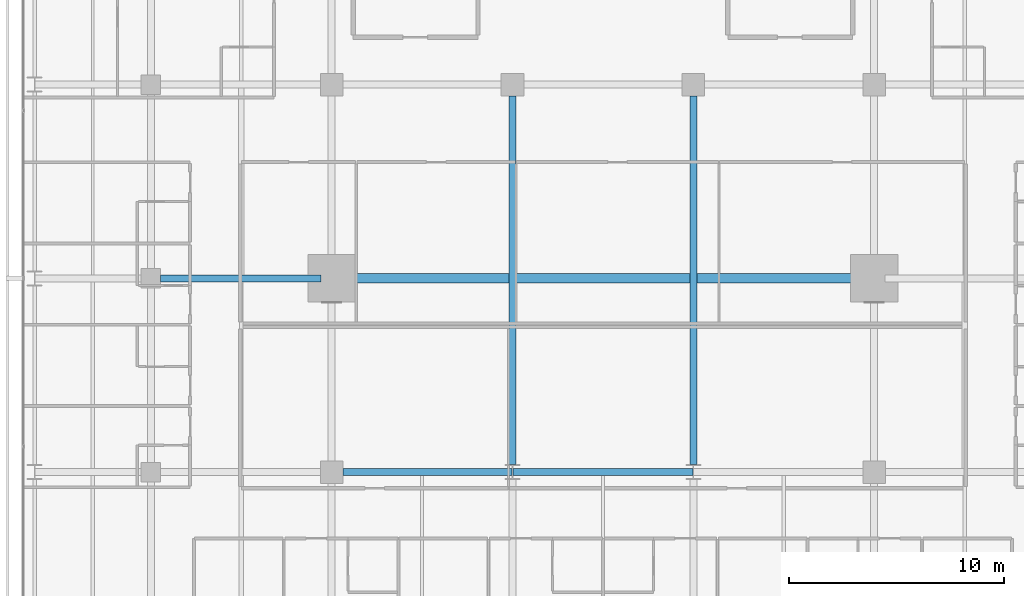
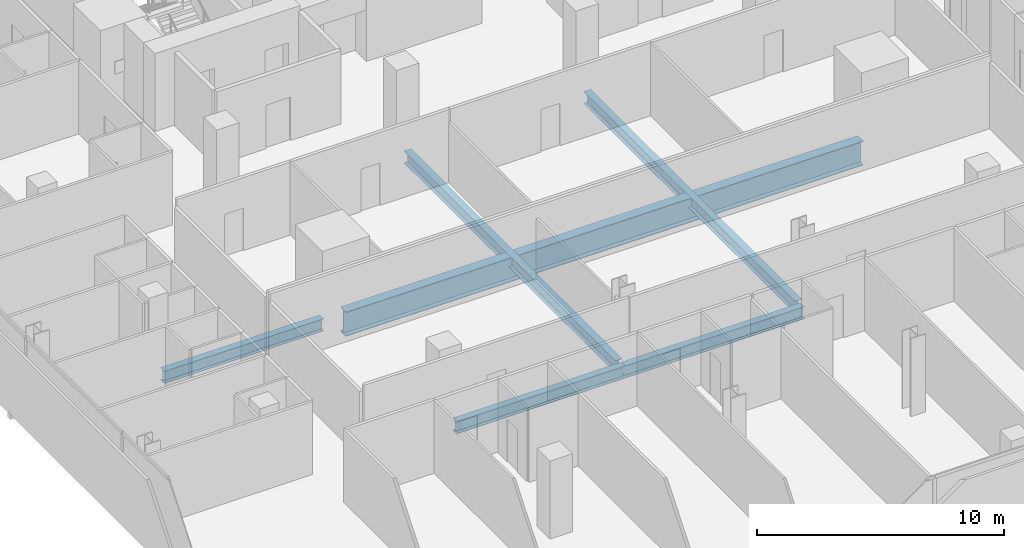
# One storey, part 13 of 40: 6 beams.
"""IFC4 building model written with IfcOpenShell, lengths in metres."""

from ifc_helpers import new_model, si_unit, direction, frame, origin, origin_2d, place, context, subcontext, project, spatial, i_section, extrude, material, material_profile, profile_set, type_object, element, save


model = new_model("IFC4")

# Units and contexts
model_context = context("Model", 3, precision=1e-05, world=origin(), true_north=direction((0.0, 1.0)))
body_context = subcontext(model_context, "Body", "Model", "MODEL_VIEW")
ifc_project = project(units=[si_unit("LENGTHUNIT", "METRE"), si_unit("AREAUNIT", "SQUARE_METRE"), si_unit("VOLUMEUNIT", "CUBIC_METRE"), si_unit("PLANEANGLEUNIT", "RADIAN"), si_unit("MASSUNIT", "GRAM", prefix="KILO")], contexts=[model_context])

# Site, building, storey
site_placement = place(None, origin())
site = spatial("IfcSite", under=ifc_project, at=site_placement, CompositionType="ELEMENT")
building_placement = place(site_placement, origin())
building = spatial("IfcBuilding", under=site, at=building_placement, Name="Maruvema Waterfront Hotel and Observation Tower", CompositionType="ELEMENT")
storey_placement = place(building_placement, frame((0.0, 0.0, 103.949951171875)))
storey = spatial("IfcBuildingStorey", under=building, at=storey_placement, Name="L25", CompositionType="ELEMENT", Elevation=103.949951171875)

# Beams
ifc_material_1 = material(Name="Steel ASTM A572 Grade 50", Category="steel")
ifc_material_profile_1 = material_profile(ifc_material_1, i_section(OverallWidth=0.323974609375, OverallDepth=0.611083984375, WebThickness=0.0126953125, FlangeThickness=0.01904296875, FilletRadius=0.01806640625, at=origin_2d()), Name="W610x155.0")
ifc_profile_set_1 = profile_set([ifc_material_profile_1], Name="Steel ASTM A572 Grade 50")
beam_type_1 = type_object("IfcBeamType", Name="Primary Floor Girder W610x155.0", PredefinedType="BEAM", material=ifc_profile_set_1)
beam_1_placement = place(storey_placement, frame((25.72509765625, 18.0, -0.54541015625), z_axis=(1.0, 0.0, 0.0), x_axis=(0.0, 1.0, 0.0)))
element("IfcBeam", 1, at=beam_1_placement, inside=storey, type_object=beam_type_1, Name="L25 Floor Girder EW-15", PredefinedType="BEAM", context=body_context, shape_type="SweptSolid", body=[
    extrude(i_section(OverallWidth=0.323974609375, OverallDepth=0.611083984375, WebThickness=0.0126953125, FlangeThickness=0.01904296875, FilletRadius=0.01806640625, at=origin_2d()), origin(), (0.0, 0.0, 1.0), 7.86083984375),
])
beam_2_placement = place(storey_placement, frame((33.614013671875, 18.0, -0.54541015625), z_axis=(1.0, 0.0, 0.0), x_axis=(0.0, 1.0, 0.0)))
element("IfcBeam", 2, at=beam_2_placement, inside=storey, type_object=beam_type_1, Name="L25 Floor Girder EW-16", PredefinedType="BEAM", context=body_context, shape_type="SweptSolid", body=[
    extrude(i_section(OverallWidth=0.323974609375, OverallDepth=0.611083984375, WebThickness=0.0126953125, FlangeThickness=0.01904296875, FilletRadius=0.01806640625, at=origin_2d()), origin(), (0.0, 0.0, 1.0), 8.3720703125),
])
beam_3_placement = place(storey_placement, frame((17.25, 27.0, -0.54541015625), z_axis=(1.0, 0.0, 0.0), x_axis=(0.0, 1.0, 0.0)))
element("IfcBeam", 3, at=beam_3_placement, inside=storey, type_object=beam_type_1, Name="L25 Floor Girder EW-21", PredefinedType="BEAM", context=body_context, shape_type="SweptSolid", body=[
    extrude(i_section(OverallWidth=0.323974609375, OverallDepth=0.611083984375, WebThickness=0.0126953125, FlangeThickness=0.01904296875, FilletRadius=0.01806640625, at=origin_2d()), origin(), (0.0, 0.0, 1.0), 7.449951171875),
])
for number, where, z_axis, x_axis, name in (
    (4, (33.60009765625, 18.35009765625, -0.54541015625), (0.0, 1.0, 0.0), (-1.0, 0.0, 0.0), "L25 Floor Girder NS-18"),
    (5, (42.0, 18.35009765625, -0.54541015625), (0.0, 1.0, 0.0), (-1.0, 0.0, 0.0), "L25 Floor Girder NS-21"),
):
    element("IfcBeam", number, at=place(storey_placement, frame(where, z_axis=z_axis, x_axis=x_axis)), inside=storey, type_object=beam_type_1, Name=name, PredefinedType="BEAM", context=body_context, shape_type="SweptSolid", body=[
        extrude(i_section(OverallWidth=0.323974609375, OverallDepth=0.611083984375, WebThickness=0.0126953125, FlangeThickness=0.01904296875, FilletRadius=0.01806640625, at=origin_2d()), origin(), (0.0, 0.0, 1.0), 17.125),
    ])
ifc_material_2 = material(Name="Steel ABNT NBR 7007 AR 415 (ASTM A572 Grade 50)", Category="steel")
ifc_material_profile_2 = material_profile(ifc_material_2, i_section(OverallWidth=0.449951171875, OverallDepth=1.199951171875, WebThickness=0.01904296875, FlangeThickness=0.031982421875, at=origin_2d()), Name="VS1200x366")
ifc_profile_set_2 = profile_set([ifc_material_profile_2], Name="Steel ABNT NBR 7007 AR 415 (ASTM A572 Grade 50)")
beam_type_2 = type_object("IfcBeamType", Name="Upper Setback Transfer Girder VS1200x366", PredefinedType="USERDEFINED", material=ifc_profile_set_2)
beam_4_placement = place(storey_placement, frame((25.699951171875, 27.0, -0.83984375), z_axis=(1.0, 0.0, 0.0), x_axis=(0.0, 1.0, 0.0)))
element("IfcBeam", 6, at=beam_4_placement, inside=storey, type_object=beam_type_2, Name="L25 Floor Girder EW-22", ObjectType="TRANSFER GIRDER", PredefinedType="USERDEFINED", context=body_context, shape_type="SweptSolid", body=[
    extrude(i_section(OverallWidth=0.449951171875, OverallDepth=1.199951171875, WebThickness=0.01904296875, FlangeThickness=0.031982421875, at=origin_2d()), origin(), (0.0, 0.0, 1.0), 24.199951171875),
])

save(model, "model.ifc")
